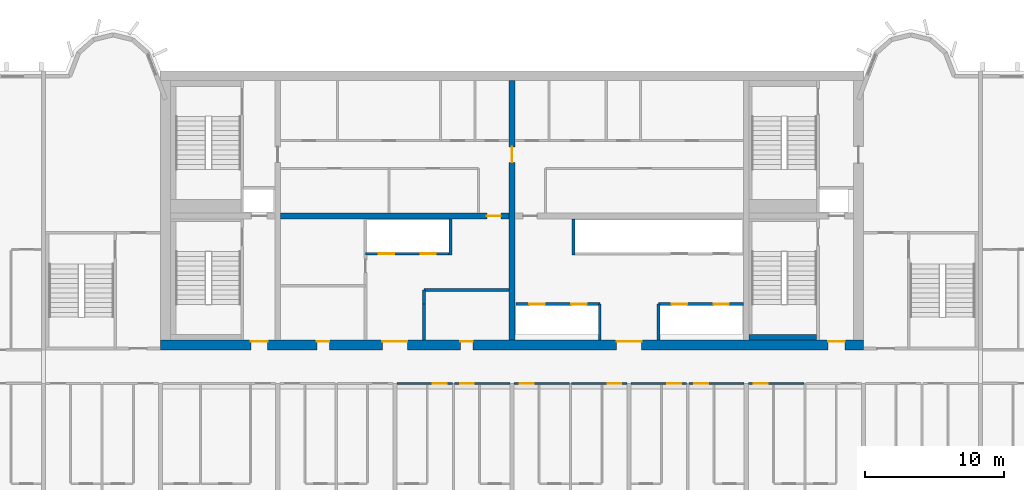
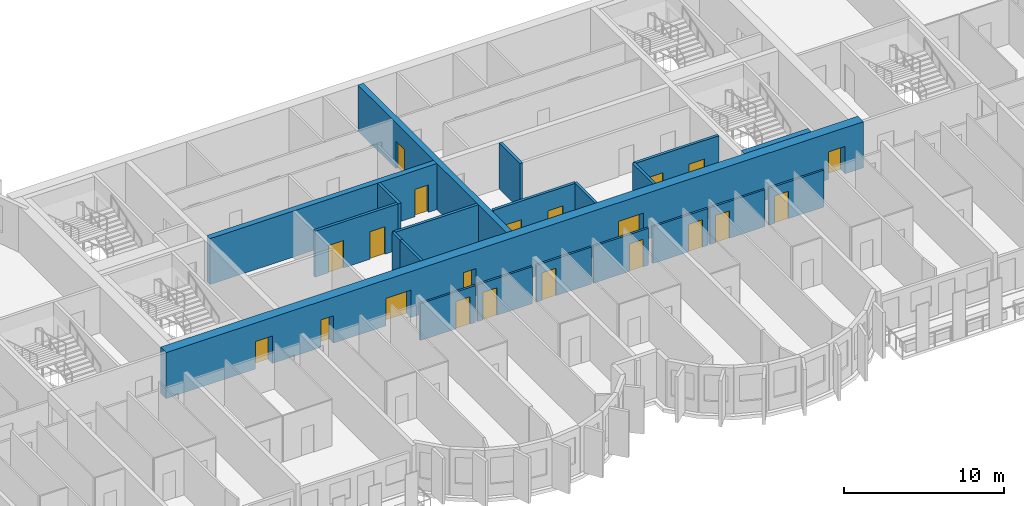
# One storey, part 6 of 13: 21 doors, 21 walls, 21 openings.
"""IFC4 building model written with IfcOpenShell, lengths in metres."""

from ifc_helpers import new_model, si_unit, direction, frame, frame_2d, origin, place, context, subcontext, project, spatial, rectangle, extrude, source, transform, mapped, material, layer, layer_set, type_object, element, fill, save


model = new_model("IFC4")

# Units and contexts
model_context = context("Model", 3, precision=1e-05, world=origin(), true_north=direction((0.0, 1.0)))
body_context = subcontext(model_context, "Body", "Model", "MODEL_VIEW")
ifc_project = project(units=[si_unit("LENGTHUNIT", "METRE"), si_unit("AREAUNIT", "SQUARE_METRE"), si_unit("VOLUMEUNIT", "CUBIC_METRE"), si_unit("PLANEANGLEUNIT", "RADIAN"), si_unit("MASSUNIT", "GRAM", prefix="KILO")], contexts=[model_context])

# Site, building, storey
site_placement = place(None, origin())
site = spatial("IfcSite", under=ifc_project, at=site_placement, CompositionType="ELEMENT")
building_placement = place(site_placement, origin())
building = spatial("IfcBuilding", under=site, at=building_placement, Name="Vanashikhar Sky Hotel", CompositionType="ELEMENT")
storey_placement = place(building_placement, frame((0.0, 0.0, 174.39990234375)))
storey = spatial("IfcBuildingStorey", under=building, at=storey_placement, Name="L42", CompositionType="ELEMENT", Elevation=174.39990234375)

# Wall, opening, door
ifc_material_1 = material(Name="Concrete M60", Category="concrete")
ifc_layer_1 = layer(ifc_material_1, 0.39990234375)
ifc_layer_set_1 = layer_set([ifc_layer_1], Name="RC core inner wall 400 Concrete M60")
wall_type_1 = type_object("IfcWallType", Name="RC core inner wall 400 Concrete M60", PredefinedType="SHEAR", material=ifc_layer_set_1)
shared_shape_1 = source(origin(), body_context, "Body", "SweptSolid", [
    extrude(rectangle(XDim=18.60009765625, YDim=0.39990234375, at=frame_2d((9.300048828125, 0.0))), origin(), (0.0, 0.0, 1.0), 3.52001953125),
])
wall_1_placement = place(storey_placement, frame((50.39990234375, 22.699951171875, 0.0), z_axis=(0.0, 0.0, 1.0), x_axis=(0.0, 1.0, 0.0)))
wall_1 = element("IfcWall", 1, at=wall_1_placement, inside=storey, type_object=wall_type_1, Name="KW-L42-KX2", PredefinedType="SHEAR", context=body_context, shape_type="MappedRepresentation", body=[
    mapped(shared_shape_1, transform((0.0, 0.0, 0.0), scale=1.0)),
])
shared_shape_2 = source(origin(), body_context, "Body", "SweptSolid", [
    extrude(rectangle(XDim=1.10009765625, YDim=2.10009765625, at=frame_2d((0.550048828125, 1.050048828125))), frame((0.0, 0.2099609375, 0.0), z_axis=(0.0, -1.0, 0.0), x_axis=(1.0, 0.0, 0.0)), (0.0, 0.0, 1.0), 0.419921875),
])
opening_1_placement = place(wall_1_placement, frame((12.75, 0.0, 0.0)))
opening_1 = element("IfcOpeningElement", 2, at=opening_1_placement, cuts=wall_1, Name="Opening DC-4-C", PredefinedType="OPENING", context=body_context, shape_type="MappedRepresentation", body=[
    mapped(shared_shape_2, transform((0.0, 0.0, 0.0), scale=1.0)),
])
ifc_material_2 = material(Name="Steel", Category="steel")
door_type_1 = type_object("IfcDoorType", Name="Service door 1100 FD60", OperationType="NOTDEFINED", PredefinedType="DOOR", material=ifc_material_2)
shared_shape_3 = source(origin(), body_context, "Body", "SweptSolid", [
    extrude(rectangle(XDim=1.10009765625, YDim=2.10009765625, at=frame_2d((0.550048828125, 1.050048828125))), frame((0.0, 0.02490234375, 0.0), z_axis=(0.0, -1.0, 0.0), x_axis=(1.0, 0.0, 0.0)), (0.0, 0.0, 1.0), 0.050048828125),
])
door_1_placement = place(opening_1_placement, origin())
door_1 = element("IfcDoor", 3, at=door_1_placement, inside=storey, type_object=door_type_1, Name="Service door 1100 FD60", OperationType="SINGLE_SWING_LEFT", OverallHeight=2.10009765625, OverallWidth=1.10009765625, PredefinedType="DOOR", context=body_context, shape_type="MappedRepresentation", body=[
    mapped(shared_shape_3, transform((0.0, 0.0, 0.0), scale=1.0)),
])
fill(opening_1, door_1)

# Wall, openings, doors
ifc_layer_2 = layer(ifc_material_1, 0.699951171875)
ifc_layer_set_2 = layer_set([ifc_layer_2], Name="RC core shell wall 700 Concrete M60")
wall_type_2 = type_object("IfcWallType", Name="RC core shell wall 700 Concrete M60", PredefinedType="SHEAR", material=ifc_layer_set_2)
shared_shape_4 = source(origin(), body_context, "Body", "SweptSolid", [
    extrude(rectangle(XDim=50.400146484375, YDim=0.699951171875, at=frame_2d((25.2001953125, 0.0))), origin(), (0.0, 0.0, 1.0), 3.52001953125),
])
wall_2_placement = place(storey_placement, frame((25.199951171875, 22.35009765625, 0.0), z_axis=(0.0, 0.0, 1.0), x_axis=(1.0, 0.0, 0.0)))
wall_2 = element("IfcWall", 4, at=wall_2_placement, inside=storey, type_object=wall_type_2, Name="KW-L42-KS", PredefinedType="SHEAR", context=body_context, shape_type="MappedRepresentation", body=[
    mapped(shared_shape_4, transform((0.0, 0.0, 0.0), scale=1.0)),
])
shared_shape_5 = source(origin(), body_context, "Body", "SweptSolid", [
    extrude(rectangle(XDim=1.800048828125, YDim=2.10009765625, at=frame_2d((0.89990234375, 1.050048828125))), frame((0.0, 0.35986328125, 0.0), z_axis=(0.0, -1.0, 0.0), x_axis=(1.0, 0.0, 0.0)), (0.0, 0.0, 1.0), 0.719970703125),
])
opening_2_placement = place(wall_2_placement, frame((15.89990234375, 0.0, 0.0)))
opening_2 = element("IfcOpeningElement", 5, at=opening_2_placement, cuts=wall_2, Name="Opening DC-3-A", PredefinedType="OPENING", context=body_context, shape_type="MappedRepresentation", body=[
    mapped(shared_shape_5, transform((0.0, 0.0, 0.0), scale=1.0)),
])
shared_shape_6 = source(origin(), body_context, "Body", "SweptSolid", [
    extrude(rectangle(XDim=0.89990234375, YDim=2.10009765625, at=frame_2d((0.449951171875, 1.050048828125))), frame((0.0, 0.35986328125, 0.0), z_axis=(0.0, -1.0, 0.0), x_axis=(1.0, 0.0, 0.0)), (0.0, 0.0, 1.0), 0.719970703125),
])
opening_3_placement = place(wall_2_placement, frame((11.199951171875, 0.0, 0.0)))
opening_3 = element("IfcOpeningElement", 6, at=opening_3_placement, cuts=wall_2, Name="Opening DC-4-A", PredefinedType="OPENING", context=body_context, shape_type="MappedRepresentation", body=[
    mapped(shared_shape_6, transform((0.0, 0.0, 0.0), scale=1.0)),
])
opening_4_placement = place(wall_2_placement, frame((21.5, 0.0, 0.0)))
opening_4 = element("IfcOpeningElement", 7, at=opening_4_placement, cuts=wall_2, Name="Opening DC-4-A", PredefinedType="OPENING", context=body_context, shape_type="MappedRepresentation", body=[
    mapped(shared_shape_6, transform((0.0, 0.0, 0.0), scale=1.0)),
])
opening_5_placement = place(wall_2_placement, frame((32.699951171875, 0.0, 0.0)))
opening_5 = element("IfcOpeningElement", 8, at=opening_5_placement, cuts=wall_2, Name="Opening DC-3-A", PredefinedType="OPENING", context=body_context, shape_type="MappedRepresentation", body=[
    mapped(shared_shape_5, transform((0.0, 0.0, 0.0), scale=1.0)),
])
shared_shape_7 = source(origin(), body_context, "Body", "SweptSolid", [
    extrude(rectangle(XDim=1.199951171875, YDim=2.10009765625, at=frame_2d((0.60009765625, 1.050048828125))), frame((0.0, 0.35986328125, 0.0), z_axis=(0.0, -1.0, 0.0), x_axis=(1.0, 0.0, 0.0)), (0.0, 0.0, 1.0), 0.719970703125),
])
opening_6_placement = place(wall_2_placement, frame((6.47509765625, 0.0, 0.0)))
opening_6 = element("IfcOpeningElement", 9, at=opening_6_placement, cuts=wall_2, Name="Opening DC-2", PredefinedType="OPENING", context=body_context, shape_type="MappedRepresentation", body=[
    mapped(shared_shape_7, transform((0.0, 0.0, 0.0), scale=1.0)),
])
opening_7_placement = place(wall_2_placement, frame((47.875, 0.0, 0.0)))
opening_7 = element("IfcOpeningElement", 10, at=opening_7_placement, cuts=wall_2, Name="Opening DC-2", PredefinedType="OPENING", context=body_context, shape_type="MappedRepresentation", body=[
    mapped(shared_shape_7, transform((0.0, 0.0, 0.0), scale=1.0)),
])
ifc_material_3 = material(Name="Glass", Category="glass")
door_type_2 = type_object("IfcDoorType", Name="Lift lobby entrance door 1800 FD30S", OperationType="NOTDEFINED", PredefinedType="DOOR", material=ifc_material_3)
shared_shape_8 = source(origin(), body_context, "Body", "SweptSolid", [
    extrude(rectangle(XDim=1.800048828125, YDim=2.10009765625, at=frame_2d((0.89990234375, 1.050048828125))), frame((0.0, 0.27490234375, 0.0), z_axis=(0.0, -1.0, 0.0), x_axis=(1.0, 0.0, 0.0)), (0.0, 0.0, 1.0), 0.050048828125),
])
door_2_placement = place(opening_2_placement, origin())
door_2 = element("IfcDoor", 11, at=door_2_placement, inside=storey, type_object=door_type_2, Name="Lift lobby entrance door 1800 FD30S", OperationType="DOUBLE_DOOR_SINGLE_SWING", OverallHeight=2.10009765625, OverallWidth=1.800048828125, PredefinedType="DOOR", context=body_context, shape_type="MappedRepresentation", body=[
    mapped(shared_shape_8, transform((0.0, 0.0, 0.0), scale=1.0)),
])
fill(opening_2, door_2)
door_3_placement = place(opening_5_placement, origin())
door_3 = element("IfcDoor", 12, at=door_3_placement, inside=storey, type_object=door_type_2, Name="Lift lobby entrance door 1800 FD30S", OperationType="DOUBLE_DOOR_SINGLE_SWING", OverallHeight=2.10009765625, OverallWidth=1.800048828125, PredefinedType="DOOR", context=body_context, shape_type="MappedRepresentation", body=[
    mapped(shared_shape_8, transform((0.0, 0.0, 0.0), scale=1.0)),
])
fill(opening_5, door_3)
door_type_3 = type_object("IfcDoorType", Name="Firefighting lobby door 1200 FD120", OperationType="NOTDEFINED", PredefinedType="DOOR", material=ifc_material_2)
shared_shape_9 = source(origin(), body_context, "Body", "SweptSolid", [
    extrude(rectangle(XDim=1.199951171875, YDim=2.10009765625, at=frame_2d((0.60009765625, 1.050048828125))), frame((0.0, 0.27490234375, 0.0), z_axis=(0.0, -1.0, 0.0), x_axis=(1.0, 0.0, 0.0)), (0.0, 0.0, 1.0), 0.050048828125),
])
door_4_placement = place(opening_6_placement, origin())
door_4 = element("IfcDoor", 13, at=door_4_placement, inside=storey, type_object=door_type_3, Name="Firefighting lobby door 1200 FD120", OperationType="SINGLE_SWING_LEFT", OverallHeight=2.10009765625, OverallWidth=1.199951171875, PredefinedType="DOOR", context=body_context, shape_type="MappedRepresentation", body=[
    mapped(shared_shape_9, transform((0.0, 0.0, 0.0), scale=1.0)),
])
fill(opening_6, door_4)
door_5_placement = place(opening_7_placement, origin())
door_5 = element("IfcDoor", 14, at=door_5_placement, inside=storey, type_object=door_type_3, Name="Firefighting lobby door 1200 FD120", OperationType="SINGLE_SWING_LEFT", OverallHeight=2.10009765625, OverallWidth=1.199951171875, PredefinedType="DOOR", context=body_context, shape_type="MappedRepresentation", body=[
    mapped(shared_shape_9, transform((0.0, 0.0, 0.0), scale=1.0)),
])
fill(opening_7, door_5)
door_type_4 = type_object("IfcDoorType", Name="Service door 900 FD60", OperationType="NOTDEFINED", PredefinedType="DOOR", material=ifc_material_2)
shared_shape_10 = source(origin(), body_context, "Body", "SweptSolid", [
    extrude(rectangle(XDim=0.89990234375, YDim=2.10009765625, at=frame_2d((0.449951171875, 1.050048828125))), frame((0.0, 0.27490234375, 0.0), z_axis=(0.0, -1.0, 0.0), x_axis=(1.0, 0.0, 0.0)), (0.0, 0.0, 1.0), 0.050048828125),
])
door_6_placement = place(opening_3_placement, origin())
door_6 = element("IfcDoor", 15, at=door_6_placement, inside=storey, type_object=door_type_4, Name="Service door 900 FD60", OperationType="SINGLE_SWING_LEFT", OverallHeight=2.10009765625, OverallWidth=0.89990234375, PredefinedType="DOOR", context=body_context, shape_type="MappedRepresentation", body=[
    mapped(shared_shape_10, transform((0.0, 0.0, 0.0), scale=1.0)),
])
fill(opening_3, door_6)
door_7_placement = place(opening_4_placement, origin())
door_7 = element("IfcDoor", 16, at=door_7_placement, inside=storey, type_object=door_type_4, Name="Service door 900 FD60", OperationType="SINGLE_SWING_LEFT", OverallHeight=2.10009765625, OverallWidth=0.89990234375, PredefinedType="DOOR", context=body_context, shape_type="MappedRepresentation", body=[
    mapped(shared_shape_10, transform((0.0, 0.0, 0.0), scale=1.0)),
])
fill(opening_4, door_7)

# Wall, opening, door
shared_shape_11 = source(origin(), body_context, "Body", "SweptSolid", [
    extrude(rectangle(XDim=16.39990234375, YDim=0.39990234375, at=frame_2d((8.199951171875, 0.0))), origin(), (0.0, 0.0, 1.0), 3.52001953125),
])
wall_3_placement = place(storey_placement, frame((33.800048828125, 31.60009765625, 0.0), z_axis=(0.0, 0.0, 1.0), x_axis=(1.0, 0.0, 0.0)))
wall_3 = element("IfcWall", 17, at=wall_3_placement, inside=storey, type_object=wall_type_1, Name="KW-L42-KY2", PredefinedType="SHEAR", context=body_context, shape_type="MappedRepresentation", body=[
    mapped(shared_shape_11, transform((0.0, 0.0, 0.0), scale=1.0)),
])
shared_shape_12 = source(origin(), body_context, "Body", "SweptSolid", [
    extrude(rectangle(XDim=1.0, YDim=2.10009765625, at=frame_2d((0.5, 1.050048828125))), frame((0.0, 0.2099609375, 0.0), z_axis=(0.0, -1.0, 0.0), x_axis=(1.0, 0.0, 0.0)), (0.0, 0.0, 1.0), 0.419921875),
])
opening_8_placement = place(wall_3_placement, frame((14.800048828125, 0.0, 0.0)))
opening_8 = element("IfcOpeningElement", 18, at=opening_8_placement, cuts=wall_3, Name="Opening DC-4", PredefinedType="OPENING", context=body_context, shape_type="MappedRepresentation", body=[
    mapped(shared_shape_12, transform((0.0, 0.0, 0.0), scale=1.0)),
])
door_type_5 = type_object("IfcDoorType", Name="Service door 1000 FD60", OperationType="NOTDEFINED", PredefinedType="DOOR", material=ifc_material_2)
shared_shape_13 = source(origin(), body_context, "Body", "SweptSolid", [
    extrude(rectangle(XDim=1.0, YDim=2.10009765625, at=frame_2d((0.5, 1.050048828125))), frame((0.0, 0.02490234375, 0.0), z_axis=(0.0, -1.0, 0.0), x_axis=(1.0, 0.0, 0.0)), (0.0, 0.0, 1.0), 0.050048828125),
])
door_8_placement = place(opening_8_placement, origin())
door_8 = element("IfcDoor", 19, at=door_8_placement, inside=storey, type_object=door_type_5, Name="Service door 1000 FD60", OperationType="SINGLE_SWING_LEFT", OverallHeight=2.10009765625, OverallWidth=1.0, PredefinedType="DOOR", context=body_context, shape_type="MappedRepresentation", body=[
    mapped(shared_shape_13, transform((0.0, 0.0, 0.0), scale=1.0)),
])
fill(opening_8, door_8)

# Wall, openings, doors
ifc_material_4 = material(Name="Concrete M40", Category="concrete")
ifc_layer_3 = layer(ifc_material_4, 0.199951171875)
ifc_layer_set_3 = layer_set([ifc_layer_3], Name="Shaft wall 200")
wall_type_3 = type_object("IfcWallType", Name="Shaft wall 200", PredefinedType="SOLIDWALL", material=ifc_layer_set_3)
shared_shape_14 = source(origin(), body_context, "Body", "SweptSolid", [
    extrude(rectangle(XDim=6.0, YDim=0.199951171875, at=frame_2d((3.0, 0.0))), origin(), (0.0, 0.0, 1.0), 3.52001953125),
])
wall_4_placement = place(storey_placement, frame((39.89990234375, 28.89990234375, 0.0), z_axis=(0.0, 0.0, 1.0), x_axis=(1.0, 0.0, 0.0)))
wall_4 = element("IfcWall", 20, at=wall_4_placement, inside=storey, type_object=wall_type_3, Name="Shaft wall 200", PredefinedType="SOLIDWALL", context=body_context, shape_type="MappedRepresentation", body=[
    mapped(shared_shape_14, transform((0.0, 0.0, 0.0), scale=1.0)),
])
shared_shape_15 = source(origin(), body_context, "Body", "SweptSolid", [
    extrude(rectangle(XDim=1.10009765625, YDim=2.10009765625, at=frame_2d((0.550048828125, 1.050048828125))), frame((0.0, 0.10986328125, 0.0), z_axis=(0.0, -1.0, 0.0), x_axis=(1.0, 0.0, 0.0)), (0.0, 0.0, 1.0), 0.219970703125),
])
opening_9_placement = place(wall_4_placement, frame((0.949951171875, 0.0, 0.0)))
opening_9 = element("IfcOpeningElement", 21, at=opening_9_placement, cuts=wall_4, Name="Opening LD", PredefinedType="OPENING", context=body_context, shape_type="MappedRepresentation", body=[
    mapped(shared_shape_15, transform((0.0, 0.0, 0.0), scale=1.0)),
])
opening_10_placement = place(wall_4_placement, frame((3.949951171875, 0.0, 0.0)))
opening_10 = element("IfcOpeningElement", 22, at=opening_10_placement, cuts=wall_4, Name="Opening LD", PredefinedType="OPENING", context=body_context, shape_type="MappedRepresentation", body=[
    mapped(shared_shape_15, transform((0.0, 0.0, 0.0), scale=1.0)),
])
ifc_material_5 = material(Name="Stainless steel", Category="steel")
door_type_6 = type_object("IfcDoorType", Name="Lift landing door 1100", OperationType="NOTDEFINED", PredefinedType="DOOR", material=ifc_material_5)
door_9_placement = place(opening_9_placement, origin())
door_9 = element("IfcDoor", 23, at=door_9_placement, inside=storey, type_object=door_type_6, Name="Lift landing door 1100", OperationType="SLIDING_TO_LEFT", OverallHeight=2.10009765625, OverallWidth=1.10009765625, PredefinedType="DOOR", context=body_context, shape_type="MappedRepresentation", body=[
    mapped(shared_shape_3, transform((0.0, 0.0, 0.0), scale=1.0)),
])
fill(opening_9, door_9)
door_10_placement = place(opening_10_placement, origin())
door_10 = element("IfcDoor", 24, at=door_10_placement, inside=storey, type_object=door_type_6, Name="Lift landing door 1100", OperationType="SLIDING_TO_RIGHT", OverallHeight=2.10009765625, OverallWidth=1.10009765625, PredefinedType="DOOR", context=body_context, shape_type="MappedRepresentation", body=[
    mapped(shared_shape_3, transform((0.0, 0.0, 0.0), scale=1.0)),
])
fill(opening_10, door_10)

wall_5_placement = place(storey_placement, frame((56.699951171875, 25.300048828125, 0.0), z_axis=(0.0, 0.0, 1.0), x_axis=(-1.0, 0.0, 0.0)))
wall_5 = element("IfcWall", 25, at=wall_5_placement, inside=storey, type_object=wall_type_3, Name="Shaft wall 200", PredefinedType="SOLIDWALL", context=body_context, shape_type="MappedRepresentation", body=[
    mapped(shared_shape_14, transform((0.0, 0.0, 0.0), scale=1.0)),
])
opening_11_placement = place(wall_5_placement, frame((0.949951171875, 0.0, 0.0)))
opening_11 = element("IfcOpeningElement", 26, at=opening_11_placement, cuts=wall_5, Name="Opening LD", PredefinedType="OPENING", context=body_context, shape_type="MappedRepresentation", body=[
    mapped(shared_shape_15, transform((0.0, 0.0, 0.0), scale=1.0)),
])
opening_12_placement = place(wall_5_placement, frame((3.949951171875, 0.0, 0.0)))
opening_12 = element("IfcOpeningElement", 27, at=opening_12_placement, cuts=wall_5, Name="Opening LD", PredefinedType="OPENING", context=body_context, shape_type="MappedRepresentation", body=[
    mapped(shared_shape_15, transform((0.0, 0.0, 0.0), scale=1.0)),
])
door_11_placement = place(opening_11_placement, origin())
door_11 = element("IfcDoor", 28, at=door_11_placement, inside=storey, type_object=door_type_6, Name="Lift landing door 1100", OperationType="SLIDING_TO_RIGHT", OverallHeight=2.10009765625, OverallWidth=1.10009765625, PredefinedType="DOOR", context=body_context, shape_type="MappedRepresentation", body=[
    mapped(shared_shape_3, transform((0.0, 0.0, 0.0), scale=1.0)),
])
fill(opening_11, door_11)
door_12_placement = place(opening_12_placement, origin())
door_12 = element("IfcDoor", 29, at=door_12_placement, inside=storey, type_object=door_type_6, Name="Lift landing door 1100", OperationType="SLIDING_TO_LEFT", OverallHeight=2.10009765625, OverallWidth=1.10009765625, PredefinedType="DOOR", context=body_context, shape_type="MappedRepresentation", body=[
    mapped(shared_shape_3, transform((0.0, 0.0, 0.0), scale=1.0)),
])
fill(opening_12, door_12)

# Walls
ifc_material_6 = material(Name="Gypsum board partition")
ifc_layer_4 = layer(ifc_material_6, 0.14990234375)
ifc_layer_set_4 = layer_set([ifc_layer_4], Name="Service partition 150")
wall_type_4 = type_object("IfcWallType", Name="Service partition 150", PredefinedType="PARTITIONING", material=ifc_layer_set_4)
shared_shape_16 = source(origin(), body_context, "Body", "SweptSolid", [
    extrude(rectangle(XDim=2.60009765625, YDim=0.199951171875, at=frame_2d((1.300048828125, 0.0))), origin(), (0.0, 0.0, 1.0), 3.52001953125),
])
wall_6_placement = place(storey_placement, frame((44.10009765625, 22.699951171875, 0.0), z_axis=(0.0, 0.0, 1.0), x_axis=(0.0, 1.0, 0.0)))
element("IfcWall", 30, at=wall_6_placement, inside=storey, type_object=wall_type_4, Name="Service partition 150", PredefinedType="PARTITIONING", context=body_context, shape_type="MappedRepresentation", body=[
    mapped(shared_shape_16, transform((0.0, 0.0, 0.0), scale=1.0)),
])
for number, where, z_axis, x_axis, name in (
    (31, (60.89990234375, 22.699951171875, 0.0), (0.0, 0.0, 1.0), (0.0, 1.0, 0.0), "Shaft wall 200"),
    (32, (56.699951171875, 22.699951171875, 0.0), (0.0, 0.0, 1.0), (0.0, 1.0, 0.0), "Shaft wall 200"),
):
    element("IfcWall", number, at=place(storey_placement, frame(where, z_axis=z_axis, x_axis=x_axis)), inside=storey, type_object=wall_type_3, Name=name, PredefinedType="SOLIDWALL", context=body_context, shape_type="MappedRepresentation", body=[
        mapped(shared_shape_16, transform((0.0, 0.0, 0.0), scale=1.0)),
    ])
shared_shape_17 = source(origin(), body_context, "Body", "SweptSolid", [
    extrude(rectangle(XDim=2.599853515625, YDim=0.199951171875, at=frame_2d((1.2998046875, 0.0))), origin(), (0.0, 0.0, 1.0), 3.52001953125),
])
for number, where, z_axis, x_axis, name in (
    (33, (46.0, 28.800048828125, 0.0), (0.0, 0.0, 1.0), (0.0, 1.0, 0.0), "Shaft wall 200"),
    (34, (54.800048828125, 28.800048828125, 0.0), (0.0, 0.0, 1.0), (0.0, 1.0, 0.0), "Shaft wall 200"),
):
    element("IfcWall", number, at=place(storey_placement, frame(where, z_axis=z_axis, x_axis=x_axis)), inside=storey, type_object=wall_type_3, Name=name, PredefinedType="SOLIDWALL", context=body_context, shape_type="MappedRepresentation", body=[
        mapped(shared_shape_17, transform((0.0, 0.0, 0.0), scale=1.0)),
    ])
shared_shape_18 = source(origin(), body_context, "Body", "SweptSolid", [
    extrude(rectangle(XDim=6.099853515625, YDim=0.199951171875, at=frame_2d((3.0498046875, 0.0))), origin(), (0.0, 0.0, 1.0), 3.52001953125),
])
wall_7_placement = place(storey_placement, frame((44.10009765625, 26.300048828125, 0.0), z_axis=(0.0, 0.0, 1.0), x_axis=(1.0, 0.0, 0.0)))
element("IfcWall", 35, at=wall_7_placement, inside=storey, type_object=wall_type_4, Name="Service partition 150", PredefinedType="PARTITIONING", context=body_context, shape_type="MappedRepresentation", body=[
    mapped(shared_shape_18, transform((0.0, 0.0, 0.0), scale=1.0)),
])
shared_shape_19 = source(origin(), body_context, "Body", "SweptSolid", [
    extrude(rectangle(XDim=1.0, YDim=0.199951171875, at=frame_2d((0.5, 0.0))), origin(), (0.0, 0.0, 1.0), 3.52001953125),
])
wall_8_placement = place(storey_placement, frame((44.10009765625, 25.300048828125, 0.0), z_axis=(0.0, 0.0, 1.0), x_axis=(0.0, 1.0, 0.0)))
element("IfcWall", 36, at=wall_8_placement, inside=storey, type_object=wall_type_4, Name="Service partition 150", PredefinedType="PARTITIONING", context=body_context, shape_type="MappedRepresentation", body=[
    mapped(shared_shape_19, transform((0.0, 0.0, 0.0), scale=1.0)),
])

# Wall, openings, doors
shared_shape_20 = source(origin(), body_context, "Body", "SweptSolid", [
    extrude(rectangle(XDim=6.10009765625, YDim=0.199951171875, at=frame_2d((3.050048828125, 0.0))), origin(), (0.0, 0.0, 1.0), 3.52001953125),
])
wall_9_placement = place(storey_placement, frame((67.0, 25.300048828125, 0.0), z_axis=(0.0, 0.0, 1.0), x_axis=(-1.0, 0.0, 0.0)))
wall_9 = element("IfcWall", 37, at=wall_9_placement, inside=storey, type_object=wall_type_3, Name="Shaft wall 200", PredefinedType="SOLIDWALL", context=body_context, shape_type="MappedRepresentation", body=[
    mapped(shared_shape_20, transform((0.0, 0.0, 0.0), scale=1.0)),
])
opening_13_placement = place(wall_9_placement, frame((1.050048828125, 0.0, 0.0)))
opening_13 = element("IfcOpeningElement", 38, at=opening_13_placement, cuts=wall_9, Name="Opening LD", PredefinedType="OPENING", context=body_context, shape_type="MappedRepresentation", body=[
    mapped(shared_shape_15, transform((0.0, 0.0, 0.0), scale=1.0)),
])
opening_14_placement = place(wall_9_placement, frame((4.050048828125, 0.0, 0.0)))
opening_14 = element("IfcOpeningElement", 39, at=opening_14_placement, cuts=wall_9, Name="Opening LD", PredefinedType="OPENING", context=body_context, shape_type="MappedRepresentation", body=[
    mapped(shared_shape_15, transform((0.0, 0.0, 0.0), scale=1.0)),
])
door_13_placement = place(opening_13_placement, origin())
door_13 = element("IfcDoor", 40, at=door_13_placement, inside=storey, type_object=door_type_6, Name="Lift landing door 1100", OperationType="SLIDING_TO_RIGHT", OverallHeight=2.10009765625, OverallWidth=1.10009765625, PredefinedType="DOOR", context=body_context, shape_type="MappedRepresentation", body=[
    mapped(shared_shape_3, transform((0.0, 0.0, 0.0), scale=1.0)),
])
fill(opening_13, door_13)
door_14_placement = place(opening_14_placement, origin())
door_14 = element("IfcDoor", 41, at=door_14_placement, inside=storey, type_object=door_type_6, Name="Lift landing door 1100", OperationType="SLIDING_TO_LEFT", OverallHeight=2.10009765625, OverallWidth=1.10009765625, PredefinedType="DOOR", context=body_context, shape_type="MappedRepresentation", body=[
    mapped(shared_shape_3, transform((0.0, 0.0, 0.0), scale=1.0)),
])
fill(opening_14, door_14)

# Wall
ifc_material_7 = material(Name="Concrete M50", Category="concrete")
ifc_layer_5 = layer(ifc_material_7, 0.39990234375)
ifc_layer_set_5 = layer_set([ifc_layer_5], Name="Stair infill wall 400")
wall_type_5 = type_object("IfcWallType", Name="Stair infill wall 400", PredefinedType="SOLIDWALL", material=ifc_layer_set_5)
shared_shape_21 = source(origin(), body_context, "Body", "SweptSolid", [
    extrude(rectangle(XDim=4.85009765625, YDim=0.39990234375, at=frame_2d((2.425048828125, 0.0))), origin(), (0.0, 0.0, 1.0), 3.52001953125),
])
wall_10_placement = place(storey_placement, frame((67.39990234375, 22.89990234375, 0.0), z_axis=(0.0, 0.0, 1.0), x_axis=(1.0, 0.0, 0.0)))
element("IfcWall", 42, at=wall_10_placement, inside=storey, type_object=wall_type_5, Name="Stair infill wall 400", PredefinedType="SOLIDWALL", context=body_context, shape_type="MappedRepresentation", body=[
    mapped(shared_shape_21, transform((0.0, 0.0, 0.0), scale=1.0)),
])

# Wall, opening, door
ifc_material_8 = material(Name="Gypsum plasterboard partition")
ifc_layer_6 = layer(ifc_material_8, 0.14990234375)
ifc_layer_set_6 = layer_set([ifc_layer_6], Name="Corridor and demising partition 150")
wall_type_6 = type_object("IfcWallType", Name="Corridor and demising partition 150", PredefinedType="PARTITIONING", material=ifc_layer_set_6)
shared_shape_22 = source(origin(), body_context, "Body", "SweptSolid", [
    extrude(rectangle(XDim=3.974853515625, YDim=0.14990234375, at=frame_2d((1.9873046875, 0.0))), origin(), (0.0, 0.0, 1.0), 2.820068359375),
])
wall_11_placement = place(storey_placement, frame((50.550048828125, 19.60009765625, 0.0), z_axis=(0.0, 0.0, 1.0), x_axis=(1.0, 0.0, 0.0)))
wall_11 = element("IfcWall", 43, at=wall_11_placement, inside=storey, type_object=wall_type_6, Name="W-L42-PW036", PredefinedType="PARTITIONING", context=body_context, shape_type="MappedRepresentation", body=[
    mapped(shared_shape_22, transform((0.0, 0.0, 0.0), scale=1.0)),
])
shared_shape_23 = source(origin(), body_context, "Body", "SweptSolid", [
    extrude(rectangle(XDim=1.0, YDim=2.10009765625, at=frame_2d((0.5, 1.050048828125))), frame((0.0, 0.0849609375, 0.0), z_axis=(0.0, -1.0, 0.0), x_axis=(1.0, 0.0, 0.0)), (0.0, 0.0, 1.0), 0.169921875),
])
opening_15_placement = place(wall_11_placement, frame((0.39990234375, 0.0, 0.0)))
opening_15 = element("IfcOpeningElement", 44, at=opening_15_placement, cuts=wall_11, Name="Opening D-01", PredefinedType="OPENING", context=body_context, shape_type="MappedRepresentation", body=[
    mapped(shared_shape_23, transform((0.0, 0.0, 0.0), scale=1.0)),
])
ifc_material_9 = material(Name="Timber fire door", Category="wood")
door_type_7 = type_object("IfcDoorType", Name="Guest entry door 1000 FD30S", OperationType="NOTDEFINED", PredefinedType="DOOR", material=ifc_material_9)
door_15_placement = place(opening_15_placement, origin())
door_15 = element("IfcDoor", 45, at=door_15_placement, inside=storey, type_object=door_type_7, Name="D-L42-021", OperationType="SINGLE_SWING_LEFT", OverallHeight=2.10009765625, OverallWidth=1.0, PredefinedType="DOOR", context=body_context, shape_type="MappedRepresentation", body=[
    mapped(shared_shape_13, transform((0.0, 0.0, 0.0), scale=1.0)),
])
fill(opening_15, door_15)

wall_12_placement = place(storey_placement, frame((54.675048828125, 19.60009765625, 0.0), z_axis=(0.0, 0.0, 1.0), x_axis=(1.0, 0.0, 0.0)))
wall_12 = element("IfcWall", 46, at=wall_12_placement, inside=storey, type_object=wall_type_6, Name="W-L42-PW039", PredefinedType="PARTITIONING", context=body_context, shape_type="MappedRepresentation", body=[
    mapped(shared_shape_22, transform((0.0, 0.0, 0.0), scale=1.0)),
])
opening_16_placement = place(wall_12_placement, frame((2.574951171875, 0.0, 0.0)))
opening_16 = element("IfcOpeningElement", 47, at=opening_16_placement, cuts=wall_12, Name="Opening D-01", PredefinedType="OPENING", context=body_context, shape_type="MappedRepresentation", body=[
    mapped(shared_shape_23, transform((0.0, 0.0, 0.0), scale=1.0)),
])
door_16_placement = place(opening_16_placement, origin())
door_16 = element("IfcDoor", 48, at=door_16_placement, inside=storey, type_object=door_type_7, Name="D-L42-023", OperationType="SINGLE_SWING_RIGHT", OverallHeight=2.10009765625, OverallWidth=1.0, PredefinedType="DOOR", context=body_context, shape_type="MappedRepresentation", body=[
    mapped(shared_shape_13, transform((0.0, 0.0, 0.0), scale=1.0)),
])
fill(opening_16, door_16)

wall_13_placement = place(storey_placement, frame((67.35009765625, 19.60009765625, 0.0), z_axis=(0.0, 0.0, 1.0), x_axis=(1.0, 0.0, 0.0)))
wall_13 = element("IfcWall", 49, at=wall_13_placement, inside=storey, type_object=wall_type_6, Name="W-L42-PW050", PredefinedType="PARTITIONING", context=body_context, shape_type="MappedRepresentation", body=[
    mapped(shared_shape_22, transform((0.0, 0.0, 0.0), scale=1.0)),
])
opening_17_placement = place(wall_13_placement, frame((0.39990234375, 0.0, 0.0)))
opening_17 = element("IfcOpeningElement", 50, at=opening_17_placement, cuts=wall_13, Name="Opening D-01", PredefinedType="OPENING", context=body_context, shape_type="MappedRepresentation", body=[
    mapped(shared_shape_23, transform((0.0, 0.0, 0.0), scale=1.0)),
])
door_17_placement = place(opening_17_placement, origin())
door_17 = element("IfcDoor", 51, at=door_17_placement, inside=storey, type_object=door_type_7, Name="D-L42-029", OperationType="SINGLE_SWING_LEFT", OverallHeight=2.10009765625, OverallWidth=1.0, PredefinedType="DOOR", context=body_context, shape_type="MappedRepresentation", body=[
    mapped(shared_shape_13, transform((0.0, 0.0, 0.0), scale=1.0)),
])
fill(opening_17, door_17)

shared_shape_24 = source(origin(), body_context, "Body", "SweptSolid", [
    extrude(rectangle(XDim=3.97509765625, YDim=0.14990234375, at=frame_2d((1.987548828125, 0.0))), origin(), (0.0, 0.0, 1.0), 2.820068359375),
])
wall_14_placement = place(storey_placement, frame((42.14990234375, 19.60009765625, 0.0), z_axis=(0.0, 0.0, 1.0), x_axis=(1.0, 0.0, 0.0)))
wall_14 = element("IfcWall", 52, at=wall_14_placement, inside=storey, type_object=wall_type_6, Name="W-L42-PW029", PredefinedType="PARTITIONING", context=body_context, shape_type="MappedRepresentation", body=[
    mapped(shared_shape_24, transform((0.0, 0.0, 0.0), scale=1.0)),
])
opening_18_placement = place(wall_14_placement, frame((2.574951171875, 0.0, 0.0)))
opening_18 = element("IfcOpeningElement", 53, at=opening_18_placement, cuts=wall_14, Name="Opening D-01", PredefinedType="OPENING", context=body_context, shape_type="MappedRepresentation", body=[
    mapped(shared_shape_23, transform((0.0, 0.0, 0.0), scale=1.0)),
])
door_18_placement = place(opening_18_placement, origin())
door_18 = element("IfcDoor", 54, at=door_18_placement, inside=storey, type_object=door_type_7, Name="D-L42-017", OperationType="SINGLE_SWING_RIGHT", OverallHeight=2.10009765625, OverallWidth=1.0, PredefinedType="DOOR", context=body_context, shape_type="MappedRepresentation", body=[
    mapped(shared_shape_13, transform((0.0, 0.0, 0.0), scale=1.0)),
])
fill(opening_18, door_18)

wall_15_placement = place(storey_placement, frame((46.27490234375, 19.60009765625, 0.0), z_axis=(0.0, 0.0, 1.0), x_axis=(1.0, 0.0, 0.0)))
wall_15 = element("IfcWall", 55, at=wall_15_placement, inside=storey, type_object=wall_type_6, Name="W-L42-PW032", PredefinedType="PARTITIONING", context=body_context, shape_type="MappedRepresentation", body=[
    mapped(shared_shape_24, transform((0.0, 0.0, 0.0), scale=1.0)),
])
opening_19_placement = place(wall_15_placement, frame((0.39990234375, 0.0, 0.0)))
opening_19 = element("IfcOpeningElement", 56, at=opening_19_placement, cuts=wall_15, Name="Opening D-01", PredefinedType="OPENING", context=body_context, shape_type="MappedRepresentation", body=[
    mapped(shared_shape_23, transform((0.0, 0.0, 0.0), scale=1.0)),
])
door_19_placement = place(opening_19_placement, origin())
door_19 = element("IfcDoor", 57, at=door_19_placement, inside=storey, type_object=door_type_7, Name="D-L42-019", OperationType="SINGLE_SWING_LEFT", OverallHeight=2.10009765625, OverallWidth=1.0, PredefinedType="DOOR", context=body_context, shape_type="MappedRepresentation", body=[
    mapped(shared_shape_13, transform((0.0, 0.0, 0.0), scale=1.0)),
])
fill(opening_19, door_19)

wall_16_placement = place(storey_placement, frame((58.949951171875, 19.60009765625, 0.0), z_axis=(0.0, 0.0, 1.0), x_axis=(1.0, 0.0, 0.0)))
wall_16 = element("IfcWall", 58, at=wall_16_placement, inside=storey, type_object=wall_type_6, Name="W-L42-PW043", PredefinedType="PARTITIONING", context=body_context, shape_type="MappedRepresentation", body=[
    mapped(shared_shape_24, transform((0.0, 0.0, 0.0), scale=1.0)),
])
opening_20_placement = place(wall_16_placement, frame((2.574951171875, 0.0, 0.0)))
opening_20 = element("IfcOpeningElement", 59, at=opening_20_placement, cuts=wall_16, Name="Opening D-01", PredefinedType="OPENING", context=body_context, shape_type="MappedRepresentation", body=[
    mapped(shared_shape_23, transform((0.0, 0.0, 0.0), scale=1.0)),
])
door_20_placement = place(opening_20_placement, origin())
door_20 = element("IfcDoor", 60, at=door_20_placement, inside=storey, type_object=door_type_7, Name="D-L42-025", OperationType="SINGLE_SWING_RIGHT", OverallHeight=2.10009765625, OverallWidth=1.0, PredefinedType="DOOR", context=body_context, shape_type="MappedRepresentation", body=[
    mapped(shared_shape_13, transform((0.0, 0.0, 0.0), scale=1.0)),
])
fill(opening_20, door_20)

wall_17_placement = place(storey_placement, frame((63.074951171875, 19.60009765625, 0.0), z_axis=(0.0, 0.0, 1.0), x_axis=(1.0, 0.0, 0.0)))
wall_17 = element("IfcWall", 61, at=wall_17_placement, inside=storey, type_object=wall_type_6, Name="W-L42-PW046", PredefinedType="PARTITIONING", context=body_context, shape_type="MappedRepresentation", body=[
    mapped(shared_shape_24, transform((0.0, 0.0, 0.0), scale=1.0)),
])
opening_21_placement = place(wall_17_placement, frame((0.39990234375, 0.0, 0.0)))
opening_21 = element("IfcOpeningElement", 62, at=opening_21_placement, cuts=wall_17, Name="Opening D-01", PredefinedType="OPENING", context=body_context, shape_type="MappedRepresentation", body=[
    mapped(shared_shape_23, transform((0.0, 0.0, 0.0), scale=1.0)),
])
door_21_placement = place(opening_21_placement, origin())
door_21 = element("IfcDoor", 63, at=door_21_placement, inside=storey, type_object=door_type_7, Name="D-L42-027", OperationType="SINGLE_SWING_LEFT", OverallHeight=2.10009765625, OverallWidth=1.0, PredefinedType="DOOR", context=body_context, shape_type="MappedRepresentation", body=[
    mapped(shared_shape_13, transform((0.0, 0.0, 0.0), scale=1.0)),
])
fill(opening_21, door_21)

save(model, "model.ifc")
